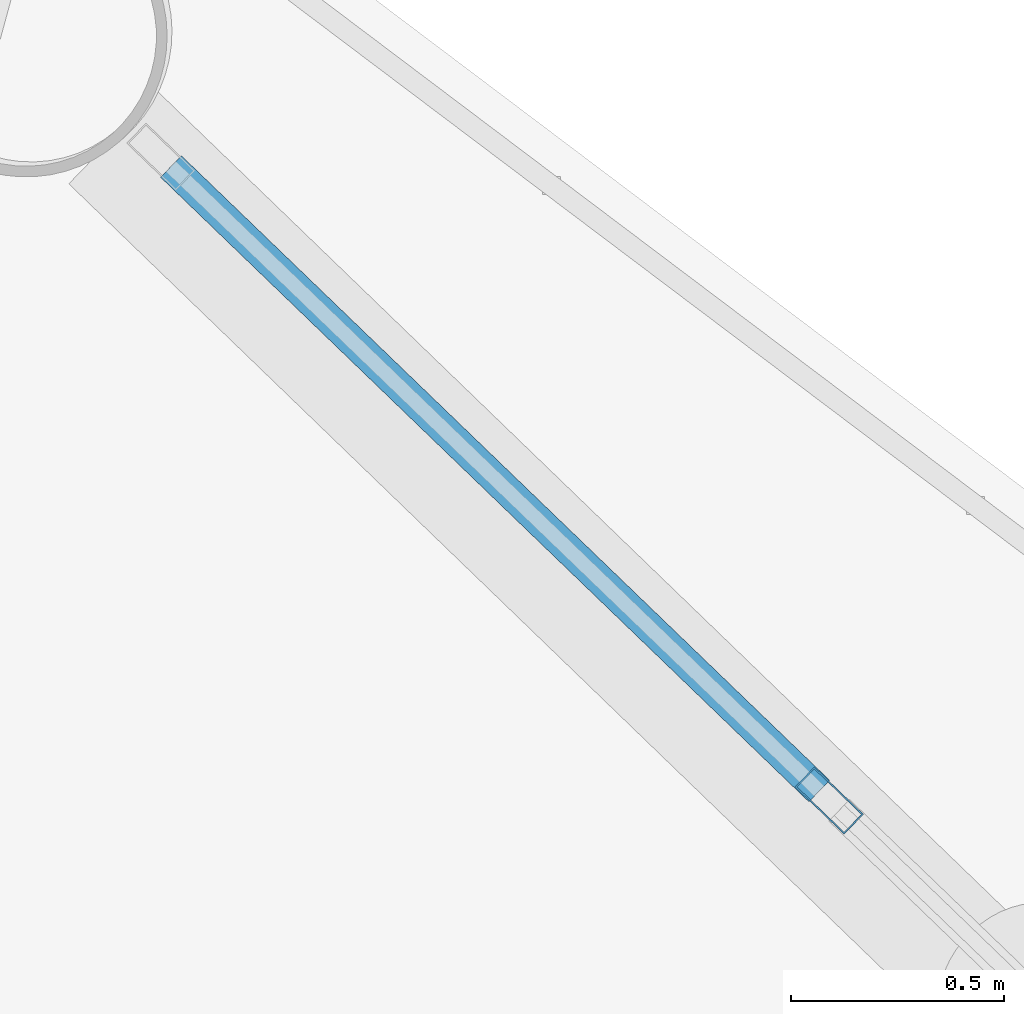
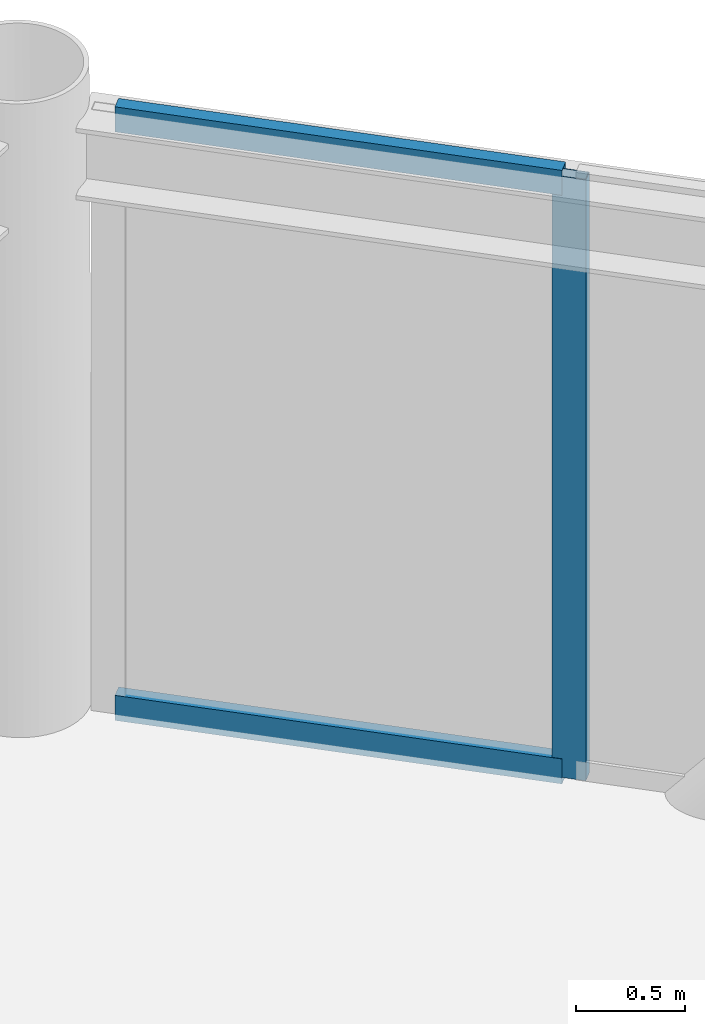
# One storey, part 19 of 26: 3 members, 1 element without a shape of its own.
"""IFC4 building model written with IfcOpenShell, lengths in metres."""

from ifc_helpers import new_model, si_unit, direction, frame, origin, origin_2d, place, context, subcontext, project, spatial, hollow_rectangle, extrude, material, layer, layer_set, material_profile, profile_set, type_object, element, aggregate, save


model = new_model("IFC4")

# Units and contexts
model_context = context("Model", 3, precision=1e-05, world=origin(), true_north=direction((0.0, 1.0)))
body_context = subcontext(model_context, "Body", "Model", "MODEL_VIEW")
ifc_project = project(units=[si_unit("LENGTHUNIT", "METRE"), si_unit("AREAUNIT", "SQUARE_METRE"), si_unit("VOLUMEUNIT", "CUBIC_METRE"), si_unit("PLANEANGLEUNIT", "RADIAN"), si_unit("MASSUNIT", "GRAM", prefix="KILO")], contexts=[model_context])

# Site, building, storey
site_placement = place(None, origin())
site = spatial("IfcSite", under=ifc_project, at=site_placement, CompositionType="ELEMENT")
building_placement = place(site_placement, origin())
building = spatial("IfcBuilding", under=site, at=building_placement, Name="Varnakorn Sky Granary", CompositionType="ELEMENT")
storey_placement = place(building_placement, frame((0.0, 0.0, 218.39990234375)))
storey = spatial("IfcBuildingStorey", under=building, at=storey_placement, Name="L55", CompositionType="ELEMENT", Elevation=218.39990234375)

# Curtain wall, members
ifc_material = material(Name="Anodised Bronze Aluminium Alloy 6063-T6", Category="aluminium")
ifc_layer = layer(ifc_material, 0.169921875, Name="Anodised Bronze Aluminium Alloy 6063-T6")
ifc_layer_set = layer_set([ifc_layer], Name="Anodised Bronze Aluminium Alloy 6063-T6")
curtain_wall_type = type_object("IfcCurtainWallType", Name="CW-LAB-1", PredefinedType="USERDEFINED", material=ifc_layer_set)
curtain_wall_placement = place(storey_placement, origin())
curtain_wall = element("IfcCurtainWall", 1, at=curtain_wall_placement, inside=storey, type_object=curtain_wall_type, Name="Unitised Curtain Wall CW5 CW-L55-B02", ObjectType="CURTAIN WALL", PredefinedType="USERDEFINED")
ifc_material_profile_1 = material_profile(ifc_material, hollow_rectangle(XDim=0.06494140625, YDim=0.159912109375, WallThickness=0.00341796875, at=origin_2d()), Name="ALU MULL 65x160")
ifc_profile_set_1 = profile_set([ifc_material_profile_1], Name="Anodised Bronze Aluminium Alloy 6063-T6")
member_type_1 = type_object("IfcMemberType", Name="CW-LAB-1-MULL", PredefinedType="MULLION", material=ifc_profile_set_1)
member_1_placement = place(storey_placement, frame((16.171142578125, 13.968017578125, 0.0), z_axis=(0.0, 0.0, 1.0), x_axis=(0.693784930795, 0.72018224763, 0.0)))
member_1 = element("IfcMember", 2, at=member_1_placement, type_object=member_type_1, Name="CW5 mullion 2", PredefinedType="MULLION", context=body_context, shape_type="SweptSolid", body=[
    extrude(hollow_rectangle(XDim=0.06494140625, YDim=0.159912109375, WallThickness=0.00341796875, at=origin_2d()), origin(), (0.0, 0.0, 1.0), 3.360107421875),
])
ifc_material_profile_2 = material_profile(ifc_material, hollow_rectangle(XDim=0.070068359375, YDim=0.139892578125, WallThickness=0.00341796875, at=origin_2d()), Name="ALU TRAN 70x140")
ifc_profile_set_2 = profile_set([ifc_material_profile_2], Name="Anodised Bronze Aluminium Alloy 6063-T6")
member_type_2 = type_object("IfcMemberType", Name="CW-LAB-1-TRAN", PredefinedType="USERDEFINED", material=ifc_profile_set_2)
member_2_placement = place(storey_placement, frame((14.628662109375, 15.453857421875, 0.03515625), z_axis=(0.72017883047, -0.693788477955, 0.0), x_axis=(0.693788477955, 0.72017883047, 0.0)))
member_2 = element("IfcMember", 3, at=member_2_placement, type_object=member_type_2, Name="CW5 transom 1.1", ObjectType="TRANSOM", PredefinedType="USERDEFINED", context=body_context, shape_type="SweptSolid", body=[
    extrude(hollow_rectangle(XDim=0.070068359375, YDim=0.139892578125, WallThickness=0.00341796875, at=origin_2d()), origin(), (0.0, 0.0, 1.0), 2.109375),
])
member_3_placement = place(storey_placement, frame((14.628662109375, 15.453857421875, 3.3251953125), z_axis=(0.72017883047, -0.693788477955, 0.0), x_axis=(0.693788477955, 0.72017883047, 0.0)))
member_3 = element("IfcMember", 4, at=member_3_placement, type_object=member_type_2, Name="CW5 transom 1.2", ObjectType="TRANSOM", PredefinedType="USERDEFINED", context=body_context, shape_type="SweptSolid", body=[
    extrude(hollow_rectangle(XDim=0.070068359375, YDim=0.139892578125, WallThickness=0.00341796875, at=origin_2d()), origin(), (0.0, 0.0, 1.0), 2.109375),
])
aggregate(curtain_wall, [member_1, member_2, member_3])

save(model, "model.ifc")
